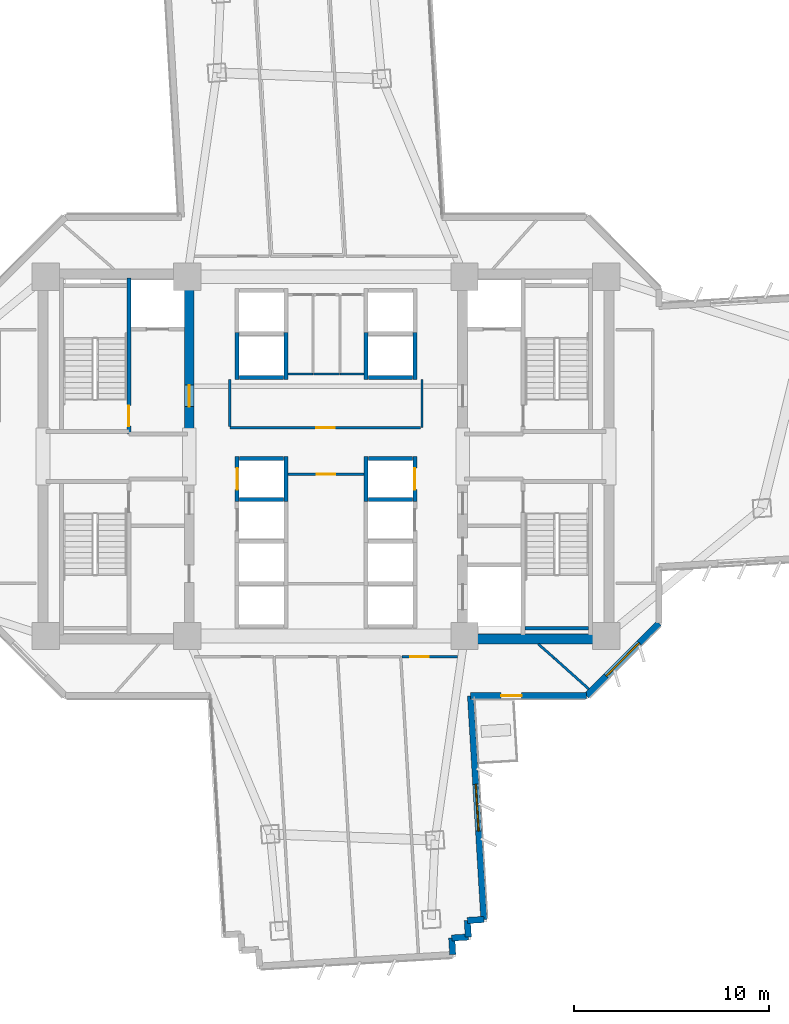
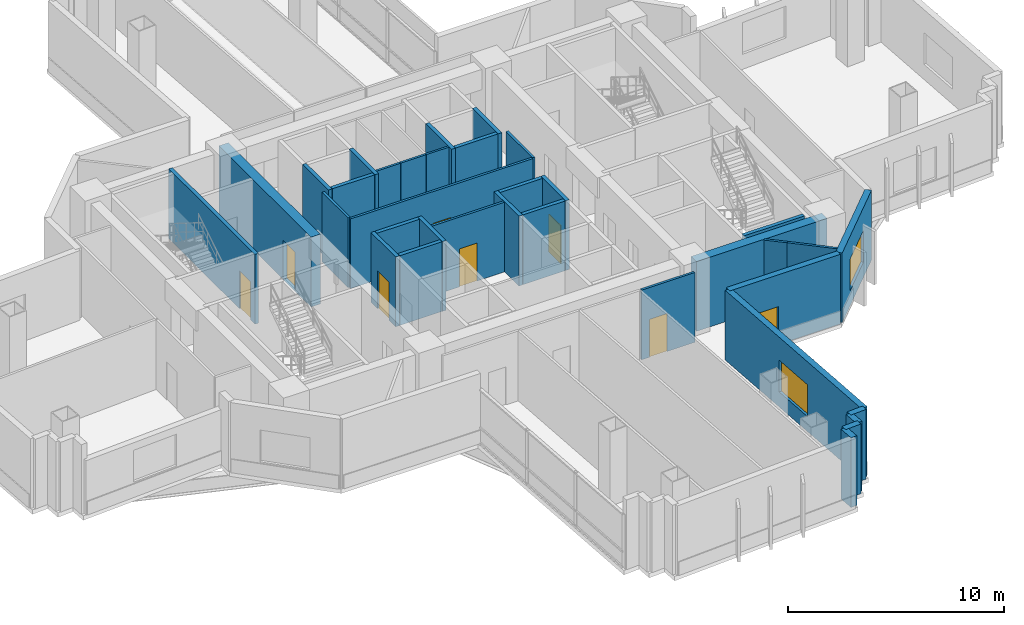
# One storey, part 7 of 15: 35 walls, 8 doors, 2 windows, 10 openings.
"""IFC4 building model written with IfcOpenShell, lengths in metres."""

import ifcopenshell
import ifcopenshell.guid

model = None  # the IFC model being written
_history = None  # IfcOwnerHistory: only IFC2X3 demands one
_inside = {}  # id of a spatial element -> (the spatial element, [elements in it])
_under = {}  # id of a project, library or spatial element -> (it, [spatial elements below it])
_declared = {}  # id of a project -> (the project, [libraries it declares])
_typed = {}  # id of a type object -> (the type object, [elements of that type])
_made_of = {}  # id of a material, layer set ... -> (it, [elements and type objects made of it])


def new_model(schema):
    """Start an empty IFC model of exactly this schema.

    Asked for "IFC4X3", IfcOpenShell would pick the latest addendum, in which some entities
    have other attributes; the version numbers below select the first issue.
    IFC2X3 requires an IfcOwnerHistory on every rooted entity: one is made here for all.
    """
    global model, _history
    if schema == "IFC4X3":
        model = ifcopenshell.file(schema_version=(4, 3, 0, 0))
    else:
        model = ifcopenshell.file(schema=schema)
    _inside.clear()
    _under.clear()
    _declared.clear()
    _typed.clear()
    _made_of.clear()
    _history = None
    if model.schema == "IFC2X3":
        org = make("IfcOrganization", Name="unknown")
        user = make(
            "IfcPersonAndOrganization",
            ThePerson=make("IfcPerson", FamilyName="unknown"),
            TheOrganization=org,
        )
        app = make(
            "IfcApplication",
            ApplicationDeveloper=org,
            Version="unknown",
            ApplicationFullName="unknown",
            ApplicationIdentifier="unknown",
        )
        _history = make(
            "IfcOwnerHistory",
            OwningUser=user,
            OwningApplication=app,
            ChangeAction="ADDED",
            CreationDate=0,
        )
    return model


def make(cls, **values):
    """One entity of the class cls with the attributes given. An attribute that is None is left unset."""
    return model.create_entity(
        cls, **{name: value for name, value in values.items() if value is not None}
    )


def rooted(cls, **values):
    """An entity with a GlobalId (a new one), such as an element, a storey or a relation."""
    return make(cls, GlobalId=ifcopenshell.guid.new(), OwnerHistory=_history, **values)


def si_unit(unit_type, name, prefix=None):
    """IfcSIUnit, for example si_unit("LENGTHUNIT", "METRE", prefix="MILLI")."""
    return make("IfcSIUnit", UnitType=unit_type, Prefix=prefix, Name=name)


def assignment(units):
    """IfcUnitAssignment: the units of a project."""
    return None if units is None else make("IfcUnitAssignment", Units=units)


def point(xyz):
    """IfcCartesianPoint."""
    return None if xyz is None else make("IfcCartesianPoint", Coordinates=xyz)


def direction(xyz):
    """IfcDirection."""
    return None if xyz is None else make("IfcDirection", DirectionRatios=xyz)


def frame(location, z_axis=None, x_axis=None):
    """IfcAxis2Placement3D, a coordinate frame: its origin and axes. An axis left out is left unset."""
    return make(
        "IfcAxis2Placement3D",
        Location=point(location),
        Axis=direction(z_axis),
        RefDirection=direction(x_axis),
    )


def frame_2d(location, x_axis=None):
    """IfcAxis2Placement2D, a coordinate frame in the plane: its origin and x axis."""
    return make(
        "IfcAxis2Placement2D", Location=point(location), RefDirection=direction(x_axis)
    )


def origin():
    """The frame at (0, 0, 0) with its axes left unset."""
    return frame((0.0, 0.0, 0.0))


def place(relative_to, where):
    """IfcLocalPlacement: puts the frame where relative to a parent placement (None: the world)."""
    return make(
        "IfcLocalPlacement", PlacementRelTo=relative_to, RelativePlacement=where
    )


def context(
    kind, dimensions, precision=None, world=None, true_north=None, identifier=None
):
    """IfcGeometricRepresentationContext, for example the 3D "Model" context."""
    return make(
        "IfcGeometricRepresentationContext",
        ContextIdentifier=identifier,
        ContextType=kind,
        CoordinateSpaceDimension=dimensions,
        Precision=precision,
        WorldCoordinateSystem=world,
        TrueNorth=true_north,
    )


def subcontext(parent, identifier, kind, view, scale=None):
    """IfcGeometricRepresentationSubContext, for example "Body" below "Model"."""
    return make(
        "IfcGeometricRepresentationSubContext",
        ContextIdentifier=identifier,
        ContextType=kind,
        ParentContext=parent,
        TargetScale=scale,
        TargetView=view,
    )


def project(units=None, contexts=None):
    """IfcProject with its units and contexts."""
    return rooted(
        "IfcProject",
        Name="project",
        RepresentationContexts=contexts,
        UnitsInContext=assignment(units),
    )


def spatial(cls, under=None, at=None, **own):
    """A site, building, storey or space (cls), placed at a placement, below another one or the project."""
    s = rooted(cls, ObjectPlacement=at, **own)
    if under is not None:
        _under.setdefault(under.id(), (under, []))[1].append(s)
    return s


def profile(cls, at=None, kind="AREA", **sizes):
    """A parametric profile (cls). Its sizes go by their IFC names, for example OverallWidth=200.0."""
    return make(cls, ProfileType=kind, Position=at, **sizes)


def rectangle(**sizes):
    """IfcRectangleProfileDef."""
    return profile("IfcRectangleProfileDef", **sizes)


def extrude(swept, where, along, depth):
    """IfcExtrudedAreaSolid: the profile swept, set in the frame where, extruded along a direction by depth."""
    return make(
        "IfcExtrudedAreaSolid",
        SweptArea=swept,
        Position=where,
        ExtrudedDirection=direction(along),
        Depth=depth,
    )


def shape(context_of_items, identifier, shape_type, items):
    """IfcShapeRepresentation: the items that make up one representation, for example the "Body"."""
    return make(
        "IfcShapeRepresentation",
        ContextOfItems=context_of_items,
        RepresentationIdentifier=identifier,
        RepresentationType=shape_type,
        Items=items,
    )


def source(mapping_origin, context_of_items, identifier, shape_type, items):
    """IfcRepresentationMap: a shape defined once, which mapped items show again and again."""
    return make(
        "IfcRepresentationMap",
        MappingOrigin=mapping_origin,
        MappedRepresentation=shape(context_of_items, identifier, shape_type, items),
    )


def transform(
    local_origin,
    x_axis=None,
    y_axis=None,
    z_axis=None,
    scale=None,
    scale2=None,
    scale3=None,
    uniform=True,
):
    """IfcCartesianTransformationOperator3D, or its non-uniform kind. x_axis, y_axis, z_axis: its Axis1, 2, 3."""
    if uniform:
        return make(
            "IfcCartesianTransformationOperator3D",
            Axis1=direction(x_axis),
            Axis2=direction(y_axis),
            LocalOrigin=point(local_origin),
            Scale=scale,
            Axis3=direction(z_axis),
        )
    return make(
        "IfcCartesianTransformationOperator3DnonUniform",
        Axis1=direction(x_axis),
        Axis2=direction(y_axis),
        LocalOrigin=point(local_origin),
        Scale=scale,
        Axis3=direction(z_axis),
        Scale2=scale2,
        Scale3=scale3,
    )


def mapped(mapping_source, mapping_target):
    """IfcMappedItem: shows the shape of a source again, moved by a transform."""
    return make(
        "IfcMappedItem", MappingSource=mapping_source, MappingTarget=mapping_target
    )


def material(Name=None, Category=None):
    """IfcMaterial."""
    return make("IfcMaterial", Name=Name, Category=Category)


def layer(
    of_material, thickness, ventilated=None, Name=None, Category=None, Priority=None
):
    """IfcMaterialLayer: one layer of a wall or slab, of a material (None: an air gap)."""
    return make(
        "IfcMaterialLayer",
        Material=of_material,
        LayerThickness=thickness,
        IsVentilated=ventilated,
        Name=Name,
        Category=Category,
        Priority=Priority,
    )


def layer_set(layers, Name=None):
    """IfcMaterialLayerSet."""
    return make("IfcMaterialLayerSet", MaterialLayers=layers, LayerSetName=Name)


def made_of(thing, what):
    """Note that an element or type object is made of a material, layer set ...; save() writes the relation."""
    if what is not None:
        _made_of.setdefault(what.id(), (what, []))[1].append(thing)
    return thing


def type_object(cls, material=None, **own):
    """A type object (cls), such as IfcWallType, which elements share."""
    return made_of(rooted(cls, **own), material)


def element(
    cls,
    number,
    at=None,
    inside=None,
    cuts=None,
    type_object=None,
    material=None,
    context=None,
    identifier="Body",
    shape_type=None,
    held_by="IfcProductDefinitionShape",
    body=None,
    shapes=None,
    **own,
):
    """One element of the class cls, such as IfcWall. Its Tag is "e" and its number.

    at: its placement. inside: the storey or other place that contains it. cuts: it is an
    opening in that element (IfcRelVoidsElement). A single representation is given by context,
    identifier, shape_type and body (its items); several are given by shapes. held_by: the class
    of the entity that holds the representations. save() writes the other relations.
    """
    e = rooted(cls, Tag="e%d" % number, ObjectPlacement=at, **own)
    if body is not None:
        shapes = [shape(context, identifier, shape_type, body)]
    if shapes is not None:
        e.Representation = make(held_by, Representations=shapes)
    if inside is not None:
        _inside.setdefault(inside.id(), (inside, []))[1].append(e)
    if cuts is not None:
        rooted(
            "IfcRelVoidsElement", RelatingBuildingElement=cuts, RelatedOpeningElement=e
        )
    if type_object is not None:
        _typed.setdefault(type_object.id(), (type_object, []))[1].append(e)
    return made_of(e, material)


def fill(opening, filler):
    """IfcRelFillsElement: the door or window that sits in an opening."""
    return rooted(
        "IfcRelFillsElement",
        RelatingOpeningElement=opening,
        RelatedBuildingElement=filler,
    )


def aggregate(whole, parts):
    """IfcRelAggregates: a whole, such as a stair, and the parts it consists of."""
    return rooted("IfcRelAggregates", RelatingObject=whole, RelatedObjects=parts)


def save(model, path):
    """Write the relations noted so far, then the file.

    IfcRelAggregates (storeys below a building ...), IfcRelContainedInSpatialStructure (elements
    in a storey), IfcRelDefinesByType, IfcRelAssociatesMaterial and IfcRelDeclares: one each for
    every whole, place, type object, material and project.
    """
    for whole, parts in _under.values():
        aggregate(whole, parts)
    for where, things in _inside.values():
        rooted(
            "IfcRelContainedInSpatialStructure",
            RelatedElements=things,
            RelatingStructure=where,
        )
    for kind, things in _typed.values():
        rooted("IfcRelDefinesByType", RelatedObjects=things, RelatingType=kind)
    for what, things in _made_of.values():
        rooted("IfcRelAssociatesMaterial", RelatedObjects=things, RelatingMaterial=what)
    for by, libraries in _declared.values():
        rooted("IfcRelDeclares", RelatingContext=by, RelatedDefinitions=libraries)
    model.write(path)


model = new_model("IFC4")

# Units and contexts
model_context = context("Model", 3, precision=1e-05, world=origin(), true_north=direction((0.0, 1.0)))
body_context = subcontext(model_context, "Body", "Model", "MODEL_VIEW")
ifc_project = project(units=[si_unit("LENGTHUNIT", "METRE"), si_unit("AREAUNIT", "SQUARE_METRE"), si_unit("VOLUMEUNIT", "CUBIC_METRE"), si_unit("PLANEANGLEUNIT", "RADIAN"), si_unit("MASSUNIT", "GRAM", prefix="KILO")], contexts=[model_context])

# Site, building, storey
site_placement = place(None, origin())
site = spatial("IfcSite", under=ifc_project, at=site_placement, CompositionType="ELEMENT")
building_placement = place(site_placement, origin())
building = spatial("IfcBuilding", under=site, at=building_placement, Name="Zahravan Cultural Tower", CompositionType="ELEMENT")
storey_placement = place(building_placement, frame((0.0, 0.0, 71.10009765625)))
storey = spatial("IfcBuildingStorey", under=building, at=storey_placement, Name="L15", CompositionType="ELEMENT", Elevation=71.10009765625)

# Wall, opening, door
ifc_material_1 = material(Name="Concrete C60/75", Category="concrete")
ifc_layer_1 = layer(ifc_material_1, 0.5)
ifc_layer_set_1 = layer_set([ifc_layer_1], Name="Concrete C60/75")
wall_type_1 = type_object("IfcWallType", Name="CW-SHEAR-500-C60", PredefinedType="SHEAR", material=ifc_layer_set_1)
wall_1_placement = place(storey_placement, frame((29.0, 28.050048828125, 0.0), z_axis=(0.0, 0.0, 1.0), x_axis=(0.0, 1.0, 0.0)))
wall_1 = element("IfcWall", 1, at=wall_1_placement, inside=storey, type_object=wall_type_1, Name="L15 Core Shear Wall CW-W-EN-L15", PredefinedType="SHEAR", context=body_context, shape_type="SweptSolid", body=[
    extrude(rectangle(XDim=8.550048828125, YDim=0.5, at=frame_2d((4.27490234375, 0.0))), origin(), (0.0, 0.0, 1.0), 3.949951171875),
])
opening_1_placement = place(wall_1_placement, frame((1.5, 0.0, 0.0)))
opening_1 = element("IfcOpeningElement", 2, at=opening_1_placement, cuts=wall_1, Name="Opening D-L15-05", PredefinedType="OPENING", context=body_context, shape_type="SweptSolid", body=[
    extrude(rectangle(XDim=1.10009765625, YDim=2.199951171875, at=frame_2d((0.550048828125, 1.10009765625))), frame((0.0, 0.260009765625, 0.0), z_axis=(0.0, -1.0, 0.0), x_axis=(1.0, 0.0, 0.0)), (0.0, 0.0, 1.0), 0.52001953125),
])
ifc_material_2 = material(Name="Steel ASTM A572 Grade 50", Category="steel")
door_type_1 = type_object("IfcDoorType", Name="DR-LOBBY-1100", OperationType="NOTDEFINED", PredefinedType="DOOR", material=ifc_material_2)
shared_shape_1 = source(origin(), body_context, "Body", "SweptSolid", [
    extrude(rectangle(XDim=1.10009765625, YDim=2.199951171875, at=frame_2d((0.550048828125, 1.10009765625))), frame((0.0, 0.02490234375, 0.0), z_axis=(0.0, -1.0, 0.0), x_axis=(1.0, 0.0, 0.0)), (0.0, 0.0, 1.0), 0.050048828125),
])
door_1_placement = place(opening_1_placement, origin())
door_1 = element("IfcDoor", 3, at=door_1_placement, inside=storey, type_object=door_type_1, Name="L15 Door D-L15-05", OperationType="SINGLE_SWING_LEFT", OverallHeight=2.199951171875, OverallWidth=1.10009765625, PredefinedType="DOOR", context=body_context, shape_type="MappedRepresentation", body=[
    mapped(shared_shape_1, transform((0.0, 0.0, 0.0), x_axis=(1.0, 0.0, 0.0), y_axis=(0.0, 1.0, 0.0), z_axis=(0.0, 0.0, 1.0), scale=1.0)),
])
fill(opening_1, door_1)

# Wall, opening, window
ifc_material_3 = material(Name="Precast concrete C40/50", Category="concrete")
ifc_layer_2 = layer(ifc_material_3, 0.320068359375)
ifc_layer_set_2 = layer_set([ifc_layer_2], Name="Precast concrete C40/50")
wall_type_2 = type_object("IfcWallType", Name="EW-TC-320", PredefinedType="SOLIDWALL", material=ifc_layer_set_2)
wall_2_placement = place(storey_placement, frame((53.06005859375, 18.4580078125, 0.0), z_axis=(0.0, 0.0, 1.0), x_axis=(-0.707106781187, -0.707106781187, 0.0)))
wall_2 = element("IfcWall", 4, at=wall_2_placement, inside=storey, type_object=wall_type_2, Name="L15 Exterior Masonry Frame Wall 13", PredefinedType="SOLIDWALL", context=body_context, shape_type="SweptSolid", body=[
    extrude(rectangle(XDim=5.258056640625, YDim=0.320068359375, at=frame_2d((2.62890625, 0.0))), origin(), (0.0, 0.0, 1.0), 3.949951171875),
])
opening_2_placement = place(wall_2_placement, frame((1.428955078125, 0.0, 0.85009765625)))
opening_2 = element("IfcOpeningElement", 5, at=opening_2_placement, cuts=wall_2, Name="Opening WN-01", PredefinedType="OPENING", context=body_context, shape_type="SweptSolid", body=[
    extrude(rectangle(XDim=2.39990234375, YDim=1.800048828125, at=frame_2d((1.199951171875, 0.89990234375))), frame((0.0, 0.169921875, 0.0), z_axis=(0.0, -1.0, 0.0), x_axis=(1.0, 0.0, 0.0)), (0.0, 0.0, 1.0), 0.340087890625),
])
ifc_material_4 = material(Name="Low-E solar-control double glazing", Category="glass")
window_type = type_object("IfcWindowType", Name="WN-REC-2400X1800", PartitioningType="DOUBLE_PANEL_VERTICAL", PredefinedType="WINDOW", material=ifc_material_4)
shared_shape_2 = source(origin(), body_context, "Body", "SweptSolid", [
    extrude(rectangle(XDim=2.39990234375, YDim=1.800048828125, at=frame_2d((1.199951171875, 0.89990234375))), frame((0.0, 0.030029296875, 0.0), z_axis=(0.0, -1.0, 0.0), x_axis=(1.0, 0.0, 0.0)), (0.0, 0.0, 1.0), 0.06005859375),
])
window_1_placement = place(opening_2_placement, origin())
window_1 = element("IfcWindow", 6, at=window_1_placement, inside=storey, type_object=window_type, Name="L15 Recessed Solar Window 04", OverallHeight=1.800048828125, OverallWidth=2.39990234375, PartitioningType="DOUBLE_PANEL_VERTICAL", PredefinedType="WINDOW", context=body_context, shape_type="MappedRepresentation", body=[
    mapped(shared_shape_2, transform((0.0, 0.0, 0.0), x_axis=(1.0, 0.0, 0.0), y_axis=(0.0, 1.0, 0.0), z_axis=(0.0, 0.0, 1.0), scale=1.0)),
])
fill(opening_2, window_1)

# Wall, opening, door
wall_3_placement = place(storey_placement, frame((49.342041015625, 14.739990234375, 0.0), z_axis=(0.0, 0.0, 1.0), x_axis=(-1.0, 0.0, 0.0)))
wall_3 = element("IfcWall", 7, at=wall_3_placement, inside=storey, type_object=wall_type_2, Name="L15 Exterior Masonry Frame Wall 14", PredefinedType="SOLIDWALL", context=body_context, shape_type="SweptSolid", body=[
    extrude(rectangle(XDim=5.9375, YDim=0.320068359375, at=frame_2d((2.96875, 0.0))), origin(), (0.0, 0.0, 1.0), 3.949951171875),
])
opening_3_placement = place(wall_3_placement, frame((3.323974609375, 0.0, 0.0)))
opening_3 = element("IfcOpeningElement", 8, at=opening_3_placement, cuts=wall_3, Name="Opening D-L15-TR-SE", PredefinedType="OPENING", context=body_context, shape_type="SweptSolid", body=[
    extrude(rectangle(XDim=1.050048828125, YDim=2.14990234375, at=frame_2d((0.52490234375, 1.074951171875))), frame((0.0, 0.169921875, 0.0), z_axis=(0.0, -1.0, 0.0), x_axis=(1.0, 0.0, 0.0)), (0.0, 0.0, 1.0), 0.340087890625),
])
ifc_material_5 = material(Name="Anodised bronze-aluminium mullion", Category="aluminium")
door_type_2 = type_object("IfcDoorType", Name="DR-TERR-1050", OperationType="NOTDEFINED", PredefinedType="DOOR", material=ifc_material_5)
shared_shape_3 = source(origin(), body_context, "Body", "SweptSolid", [
    extrude(rectangle(XDim=1.050048828125, YDim=2.14990234375, at=frame_2d((0.52490234375, 1.074951171875))), frame((0.0, 0.02490234375, 0.0), z_axis=(0.0, -1.0, 0.0), x_axis=(1.0, 0.0, 0.0)), (0.0, 0.0, 1.0), 0.050048828125),
])
door_2_placement = place(opening_3_placement, origin())
door_2 = element("IfcDoor", 9, at=door_2_placement, inside=storey, type_object=door_type_2, Name="L15 Terrace Access Door SE", OperationType="SINGLE_SWING_RIGHT", OverallHeight=2.14990234375, OverallWidth=1.050048828125, PredefinedType="DOOR", context=body_context, shape_type="MappedRepresentation", body=[
    mapped(shared_shape_3, transform((0.0, 0.0, 0.0), x_axis=(1.0, 0.0, 0.0), y_axis=(0.0, 1.0, 0.0), z_axis=(0.0, 0.0, 1.0), scale=1.0)),
])
fill(opening_3, door_2)

# Wall, opening, window
wall_4_placement = place(storey_placement, frame((43.404541015625, 14.739990234375, 0.0), z_axis=(0.0, 0.0, 1.0), x_axis=(0.059651994121, -0.998219234235, 0.0)))
wall_4 = element("IfcWall", 10, at=wall_4_placement, inside=storey, type_object=wall_type_2, Name="L15 Exterior Masonry Frame Wall 15", PredefinedType="SOLIDWALL", context=body_context, shape_type="SweptSolid", body=[
    extrude(rectangle(XDim=11.480224609375, YDim=0.320068359375, at=frame_2d((5.740234375, 0.0))), origin(), (0.0, 0.0, 1.0), 3.949951171875),
])
opening_4_placement = place(wall_4_placement, frame((4.5400390625, 0.0, 0.85009765625)))
opening_4 = element("IfcOpeningElement", 11, at=opening_4_placement, cuts=wall_4, Name="Opening WN-01", PredefinedType="OPENING", context=body_context, shape_type="SweptSolid", body=[
    extrude(rectangle(XDim=2.39990234375, YDim=1.800048828125, at=frame_2d((1.199951171875, 0.89990234375))), frame((0.0, 0.169921875, 0.0), z_axis=(0.0, -1.0, 0.0), x_axis=(1.0, 0.0, 0.0)), (0.0, 0.0, 1.0), 0.340087890625),
])
window_2_placement = place(opening_4_placement, origin())
window_2 = element("IfcWindow", 12, at=window_2_placement, inside=storey, type_object=window_type, Name="L15 Recessed Solar Window 05", OverallHeight=1.800048828125, OverallWidth=2.39990234375, PartitioningType="DOUBLE_PANEL_VERTICAL", PredefinedType="WINDOW", context=body_context, shape_type="MappedRepresentation", body=[
    mapped(shared_shape_2, transform((0.0, 0.0, 0.0), x_axis=(1.0, 0.0, 0.0), y_axis=(0.0, 1.0, 0.0), z_axis=(0.0, 0.0, 1.0), scale=1.0)),
])
fill(opening_4, window_2)

# Wall, opening, door
ifc_material_6 = material(Name="Gypsum plasterboard partition")
ifc_layer_3 = layer(ifc_material_6, 0.125)
ifc_layer_set_3 = layer_set([ifc_layer_3], Name="Gypsum plasterboard partition")
wall_type_3 = type_object("IfcWallType", Name="W-PART-125", PredefinedType="PARTITIONING", material=ifc_layer_set_3)
wall_5_placement = place(storey_placement, frame((34.054931640625, 26.080078125, 0.0), z_axis=(0.0, 0.0, 1.0), x_axis=(1.0, 0.0, 0.0)))
wall_5 = element("IfcWall", 13, at=wall_5_placement, inside=storey, type_object=wall_type_3, Name="L15 Interior Wall 074", PredefinedType="PARTITIONING", context=body_context, shape_type="SweptSolid", body=[
    extrude(rectangle(XDim=3.89013671875, YDim=0.125, at=frame_2d((1.945068359375, 0.0))), origin(), (0.0, 0.0, 1.0), 3.949951171875),
])
opening_5_placement = place(wall_5_placement, frame((1.469970703125, 0.0, 0.0)))
opening_5 = element("IfcOpeningElement", 14, at=opening_5_placement, cuts=wall_5, Name="Opening D-L15-14", PredefinedType="OPENING", context=body_context, shape_type="SweptSolid", body=[
    extrude(rectangle(XDim=0.949951171875, YDim=2.14990234375, at=frame_2d((0.47509765625, 1.074951171875))), frame((0.0, 0.072509765625, 0.0), z_axis=(0.0, -1.0, 0.0), x_axis=(1.0, 0.0, 0.0)), (0.0, 0.0, 1.0), 0.14501953125),
])
door_type_3 = type_object("IfcDoorType", Name="DR-ROOM-950", OperationType="NOTDEFINED", PredefinedType="DOOR", material=ifc_material_5)
shared_shape_4 = source(origin(), body_context, "Body", "SweptSolid", [
    extrude(rectangle(XDim=0.949951171875, YDim=2.14990234375, at=frame_2d((0.47509765625, 1.074951171875))), frame((0.0, 0.02490234375, 0.0), z_axis=(0.0, -1.0, 0.0), x_axis=(1.0, 0.0, 0.0)), (0.0, 0.0, 1.0), 0.050048828125),
])
door_3_placement = place(opening_5_placement, origin())
door_3 = element("IfcDoor", 15, at=door_3_placement, inside=storey, type_object=door_type_3, Name="L15 Door D-L15-14", OperationType="SINGLE_SWING_RIGHT", OverallHeight=2.14990234375, OverallWidth=0.949951171875, PredefinedType="DOOR", context=body_context, shape_type="MappedRepresentation", body=[
    mapped(shared_shape_4, transform((0.0, 0.0, 0.0), x_axis=(1.0, 0.0, 0.0), y_axis=(0.0, 1.0, 0.0), z_axis=(0.0, 0.0, 1.0), scale=1.0)),
])
fill(opening_5, door_3)

wall_6_placement = place(storey_placement, frame((40.8525390625, 28.47998046875, 0.0), z_axis=(0.0, 0.0, 1.0), x_axis=(-1.0, 0.0, 0.0)))
wall_6 = element("IfcWall", 16, at=wall_6_placement, inside=storey, type_object=wall_type_3, Name="L15 Interior Wall 077", PredefinedType="PARTITIONING", context=body_context, shape_type="SweptSolid", body=[
    extrude(rectangle(XDim=9.7724609375, YDim=0.125, at=frame_2d((4.88623046875, 0.0))), origin(), (0.0, 0.0, 1.0), 3.949951171875),
])
opening_6_placement = place(wall_6_placement, frame((4.411376953125, 0.0, 0.0)))
opening_6 = element("IfcOpeningElement", 17, at=opening_6_placement, cuts=wall_6, Name="Opening D-L15-15", PredefinedType="OPENING", context=body_context, shape_type="SweptSolid", body=[
    extrude(rectangle(XDim=0.949951171875, YDim=2.14990234375, at=frame_2d((0.47509765625, 1.074951171875))), frame((0.0, 0.072509765625, 0.0), z_axis=(0.0, -1.0, 0.0), x_axis=(1.0, 0.0, 0.0)), (0.0, 0.0, 1.0), 0.14501953125),
])
door_4_placement = place(opening_6_placement, origin())
door_4 = element("IfcDoor", 18, at=door_4_placement, inside=storey, type_object=door_type_3, Name="L15 Door D-L15-15", OperationType="SINGLE_SWING_LEFT", OverallHeight=2.14990234375, OverallWidth=0.949951171875, PredefinedType="DOOR", context=body_context, shape_type="MappedRepresentation", body=[
    mapped(shared_shape_4, transform((0.0, 0.0, 0.0), x_axis=(1.0, 0.0, 0.0), y_axis=(0.0, 1.0, 0.0), z_axis=(0.0, 0.0, 1.0), scale=1.0)),
])
fill(opening_6, door_4)

wall_7_placement = place(storey_placement, frame((39.896484375, 16.739990234375, 0.0), z_axis=(0.0, 0.0, 1.0), x_axis=(0.999999908279, 0.000428302171, 0.0)))
wall_7 = element("IfcWall", 19, at=wall_7_placement, inside=storey, type_object=wall_type_3, Name="L15 Interior Wall 089", PredefinedType="PARTITIONING", context=body_context, shape_type="SweptSolid", body=[
    extrude(rectangle(XDim=2.85009765625, YDim=0.125, at=frame_2d((1.425048828125, 0.0))), origin(), (0.0, 0.0, 1.0), 3.949951171875),
])
opening_7_placement = place(wall_7_placement, frame((0.41796875, 0.0, 0.0)))
opening_7 = element("IfcOpeningElement", 20, at=opening_7_placement, cuts=wall_7, Name="Opening D-L15-25", PredefinedType="OPENING", context=body_context, shape_type="SweptSolid", body=[
    extrude(rectangle(XDim=0.949951171875, YDim=2.14990234375, at=frame_2d((0.47509765625, 1.074951171875))), frame((0.0, 0.072509765625, 0.0), z_axis=(0.0, -1.0, 0.0), x_axis=(1.0, 0.0, 0.0)), (0.0, 0.0, 1.0), 0.14501953125),
])
door_5_placement = place(opening_7_placement, origin())
door_5 = element("IfcDoor", 21, at=door_5_placement, inside=storey, type_object=door_type_3, Name="L15 Door D-L15-25", OperationType="SINGLE_SWING_LEFT", OverallHeight=2.14990234375, OverallWidth=0.949951171875, PredefinedType="DOOR", context=body_context, shape_type="MappedRepresentation", body=[
    mapped(shared_shape_4, transform((0.0, 0.0, 0.0), x_axis=(1.0, 0.0, 0.0), y_axis=(0.0, 1.0, 0.0), z_axis=(0.0, 0.0, 1.0), scale=1.0)),
])
fill(opening_7, door_5)

ifc_material_7 = material(Name="Concrete C45/55", Category="concrete")
ifc_layer_4 = layer(ifc_material_7, 0.199951171875)
ifc_layer_set_4 = layer_set([ifc_layer_4], Name="Concrete C45/55")
wall_type_4 = type_object("IfcWallType", Name="W-SHAFT-200", PredefinedType="SOLIDWALL", material=ifc_layer_set_4)
wall_8_placement = place(storey_placement, frame((25.89990234375, 28.14990234375, 0.0), z_axis=(0.0, 0.0, 1.0), x_axis=(0.0, 1.0, 0.0)))
wall_8 = element("IfcWall", 22, at=wall_8_placement, inside=storey, type_object=wall_type_4, Name="L15 Interior Wall 006", PredefinedType="SOLIDWALL", context=body_context, shape_type="SweptSolid", body=[
    extrude(rectangle(XDim=8.0, YDim=0.199951171875, at=frame_2d((4.0, 0.0))), origin(), (0.0, 0.0, 1.0), 3.949951171875),
])
opening_8_placement = place(wall_8_placement, frame((0.39990234375, 0.0, 0.0)))
opening_8 = element("IfcOpeningElement", 23, at=opening_8_placement, cuts=wall_8, Name="Opening D-L15-01", PredefinedType="OPENING", context=body_context, shape_type="SweptSolid", body=[
    extrude(rectangle(XDim=1.050048828125, YDim=2.14990234375, at=frame_2d((0.52490234375, 1.074951171875))), frame((0.0, 0.10986328125, 0.0), z_axis=(0.0, -1.0, 0.0), x_axis=(1.0, 0.0, 0.0)), (0.0, 0.0, 1.0), 0.219970703125),
])
door_type_4 = type_object("IfcDoorType", Name="DR-STAIR-1050", OperationType="NOTDEFINED", PredefinedType="DOOR", material=ifc_material_2)
door_6_placement = place(opening_8_placement, origin())
door_6 = element("IfcDoor", 24, at=door_6_placement, inside=storey, type_object=door_type_4, Name="L15 Door D-L15-01", OperationType="SINGLE_SWING_LEFT", OverallHeight=2.14990234375, OverallWidth=1.050048828125, PredefinedType="DOOR", context=body_context, shape_type="MappedRepresentation", body=[
    mapped(shared_shape_3, transform((0.0, 0.0, 0.0), x_axis=(1.0, 0.0, 0.0), y_axis=(0.0, 1.0, 0.0), z_axis=(0.0, 0.0, 1.0), scale=1.0)),
])
fill(opening_8, door_6)

wall_9_placement = place(storey_placement, frame((31.449951171875, 24.699951171875, 0.0), z_axis=(0.0, 0.0, 1.0), x_axis=(0.0, 1.0, 0.0)))
wall_9 = element("IfcWall", 25, at=wall_9_placement, inside=storey, type_object=wall_type_4, Name="L15 Interior Wall 054", PredefinedType="SOLIDWALL", context=body_context, shape_type="SweptSolid", body=[
    extrude(rectangle(XDim=2.300048828125, YDim=0.199951171875, at=frame_2d((1.14990234375, 0.0))), origin(), (0.0, 0.0, 1.0), 3.949951171875),
])
opening_9_placement = place(wall_9_placement, frame((0.60009765625, 0.0, 0.0)))
opening_9 = element("IfcOpeningElement", 26, at=opening_9_placement, cuts=wall_9, Name="Opening LD-L15-04", PredefinedType="OPENING", context=body_context, shape_type="SweptSolid", body=[
    extrude(rectangle(XDim=1.10009765625, YDim=2.14990234375, at=frame_2d((0.550048828125, 1.074951171875))), frame((0.0, 0.10986328125, 0.0), z_axis=(0.0, -1.0, 0.0), x_axis=(1.0, 0.0, 0.0)), (0.0, 0.0, 1.0), 0.219970703125),
])
door_type_5 = type_object("IfcDoorType", Name="DR-LIFT-1100", OperationType="DOUBLE_DOOR_SLIDING", PredefinedType="DOOR", material=ifc_material_2)
shared_shape_5 = source(origin(), body_context, "Body", "SweptSolid", [
    extrude(rectangle(XDim=1.10009765625, YDim=2.14990234375, at=frame_2d((0.550048828125, 1.074951171875))), frame((0.0, 0.02490234375, 0.0), z_axis=(0.0, -1.0, 0.0), x_axis=(1.0, 0.0, 0.0)), (0.0, 0.0, 1.0), 0.050048828125),
])
door_7_placement = place(opening_9_placement, origin())
door_7 = element("IfcDoor", 27, at=door_7_placement, inside=storey, type_object=door_type_5, Name="L15 Door LD-L15-04", OperationType="DOUBLE_DOOR_SLIDING", OverallHeight=2.14990234375, OverallWidth=1.10009765625, PredefinedType="DOOR", context=body_context, shape_type="MappedRepresentation", body=[
    mapped(shared_shape_5, transform((0.0, 0.0, 0.0), x_axis=(1.0, 0.0, 0.0), y_axis=(0.0, 1.0, 0.0), z_axis=(0.0, 0.0, 1.0), scale=1.0)),
])
fill(opening_9, door_7)

wall_10_placement = place(storey_placement, frame((40.550048828125, 24.699951171875, 0.0), z_axis=(0.0, 0.0, 1.0), x_axis=(0.0, 1.0, 0.0)))
wall_10 = element("IfcWall", 28, at=wall_10_placement, inside=storey, type_object=wall_type_4, Name="L15 Interior Wall 061", PredefinedType="SOLIDWALL", context=body_context, shape_type="SweptSolid", body=[
    extrude(rectangle(XDim=2.300048828125, YDim=0.199951171875, at=frame_2d((1.14990234375, 0.0))), origin(), (0.0, 0.0, 1.0), 3.949951171875),
])
opening_10_placement = place(wall_10_placement, frame((0.60009765625, 0.0, 0.0)))
opening_10 = element("IfcOpeningElement", 29, at=opening_10_placement, cuts=wall_10, Name="Opening LD-L15-06", PredefinedType="OPENING", context=body_context, shape_type="SweptSolid", body=[
    extrude(rectangle(XDim=1.10009765625, YDim=2.14990234375, at=frame_2d((0.550048828125, 1.074951171875))), frame((0.0, 0.10986328125, 0.0), z_axis=(0.0, -1.0, 0.0), x_axis=(1.0, 0.0, 0.0)), (0.0, 0.0, 1.0), 0.219970703125),
])
door_8_placement = place(opening_10_placement, origin())
door_8 = element("IfcDoor", 30, at=door_8_placement, inside=storey, type_object=door_type_5, Name="L15 Door LD-L15-06", OperationType="DOUBLE_DOOR_SLIDING", OverallHeight=2.14990234375, OverallWidth=1.10009765625, PredefinedType="DOOR", context=body_context, shape_type="MappedRepresentation", body=[
    mapped(shared_shape_5, transform((0.0, 0.0, 0.0), x_axis=(1.0, 0.0, 0.0), y_axis=(0.0, 1.0, 0.0), z_axis=(0.0, 0.0, 1.0), scale=1.0)),
])
fill(opening_10, door_8)

# Walls
shared_shape_6 = source(origin(), body_context, "Body", "SweptSolid", [
    extrude(rectangle(XDim=7.0, YDim=0.5, at=frame_2d((3.5, 0.0))), origin(), (0.0, 0.0, 1.0), 3.949951171875),
])
wall_11_placement = place(storey_placement, frame((43.25, 17.64990234375, 0.0), z_axis=(0.0, 0.0, 1.0), x_axis=(1.0, 0.0, 0.0)))
element("IfcWall", 31, at=wall_11_placement, inside=storey, type_object=wall_type_1, Name="L15 Core Shear Wall CW-E-S-L15", PredefinedType="SHEAR", context=body_context, shape_type="MappedRepresentation", body=[
    mapped(shared_shape_6, transform((0.0, 0.0, 0.0), x_axis=(1.0, 0.0, 0.0), y_axis=(0.0, 1.0, 0.0), z_axis=(0.0, 0.0, 1.0), scale=1.0)),
])
shared_shape_7 = source(origin(), body_context, "Body", "SweptSolid", [
    extrude(rectangle(XDim=0.849853515625, YDim=0.320068359375, at=frame_2d((0.4248046875, 0.0))), origin(), (0.0, 0.0, 1.0), 3.949951171875),
])
for number, where, z_axis, x_axis, name in (
    (32, (44.08935546875, 3.2802734375, 0.0), (0.0, 0.0, 1.0), (-0.998213421964, -0.059749177487, 0.0), "L15 Exterior Masonry Frame Wall 16"),
    (33, (43.240966796875, 3.2294921875, 0.0), (0.0, 0.0, 1.0), (0.059462939961, -0.998230513845, 0.0), "L15 Exterior Masonry Frame Wall 17"),
    (34, (43.29150390625, 2.381103515625, 0.0), (0.0, 0.0, 1.0), (-0.998213421964, -0.059749177487, 0.0), "L15 Exterior Masonry Frame Wall 18"),
    (35, (42.443115234375, 2.330322265625, 0.0), (0.0, 0.0, 1.0), (0.059749177487, -0.998213421964, 0.0), "L15 Exterior Masonry Frame Wall 19"),
):
    element("IfcWall", number, at=place(storey_placement, frame(where, z_axis=z_axis, x_axis=x_axis)), inside=storey, type_object=wall_type_2, Name=name, PredefinedType="SOLIDWALL", context=body_context, shape_type="MappedRepresentation", body=[
        mapped(shared_shape_7, transform((0.0, 0.0, 0.0), x_axis=(1.0, 0.0, 0.0), y_axis=(0.0, 1.0, 0.0), z_axis=(0.0, 0.0, 1.0), scale=1.0)),
    ])
shared_shape_8 = source(origin(), body_context, "Body", "SweptSolid", [
    extrude(rectangle(XDim=3.25, YDim=0.199951171875, at=frame_2d((1.625, 0.0))), origin(), (0.0, 0.0, 1.0), 3.949951171875),
])
wall_12_placement = place(storey_placement, frame((46.199951171875, 18.199951171875, 0.0), z_axis=(0.0, 0.0, 1.0), x_axis=(1.0, 0.0, 0.0)))
element("IfcWall", 36, at=wall_12_placement, inside=storey, type_object=wall_type_4, Name="L15 Interior Wall 020", PredefinedType="SOLIDWALL", context=body_context, shape_type="MappedRepresentation", body=[
    mapped(shared_shape_8, transform((0.0, 0.0, 0.0), x_axis=(1.0, 0.0, 0.0), y_axis=(0.0, 1.0, 0.0), z_axis=(0.0, 0.0, 1.0), scale=1.0)),
])
shared_shape_9 = source(origin(), body_context, "Body", "SweptSolid", [
    extrude(rectangle(XDim=2.400146484375, YDim=0.199951171875, at=frame_2d((1.2001953125, 0.0))), origin(), (0.0, 0.0, 1.0), 3.949951171875),
])
for number, where, z_axis, x_axis, name in (
    (37, (31.449951171875, 30.949951171875, 0.0), (0.0, 0.0, 1.0), (0.0, 1.0, 0.0), "L15 Interior Wall 030"),
    (38, (33.949951171875, 30.949951171875, 0.0), (0.0, 0.0, 1.0), (0.0, 1.0, 0.0), "L15 Interior Wall 031"),
    (39, (38.050048828125, 30.949951171875, 0.0), (0.0, 0.0, 1.0), (0.0, 1.0, 0.0), "L15 Interior Wall 037"),
    (40, (40.550048828125, 30.949951171875, 0.0), (0.0, 0.0, 1.0), (0.0, 1.0, 0.0), "L15 Interior Wall 038"),
):
    element("IfcWall", number, at=place(storey_placement, frame(where, z_axis=z_axis, x_axis=x_axis)), inside=storey, type_object=wall_type_4, Name=name, PredefinedType="SOLIDWALL", context=body_context, shape_type="MappedRepresentation", body=[
        mapped(shared_shape_9, transform((0.0, 0.0, 0.0), x_axis=(1.0, 0.0, 0.0), y_axis=(0.0, 1.0, 0.0), z_axis=(0.0, 0.0, 1.0), scale=1.0)),
    ])
shared_shape_10 = source(origin(), body_context, "Body", "SweptSolid", [
    extrude(rectangle(XDim=2.260009765625, YDim=0.199951171875, at=frame_2d((1.1298828125, 0.0))), origin(), (0.0, 0.0, 1.0), 3.949951171875),
])
for number, where, z_axis, x_axis, name in (
    (41, (31.570068359375, 31.050048828125, 0.0), (0.0, 0.0, 1.0), (1.0, 0.0, 0.0), "L15 Interior Wall 032"),
    (42, (38.169921875, 31.050048828125, 0.0), (0.0, 0.0, 1.0), (1.0, 0.0, 0.0), "L15 Interior Wall 039"),
    (43, (31.570068359375, 24.800048828125, 0.0), (0.0, 0.0, 1.0), (1.0, 0.0, 0.0), "L15 Interior Wall 056"),
    (44, (31.570068359375, 26.89990234375, 0.0), (0.0, 0.0, 1.0), (1.0, 0.0, 0.0), "L15 Interior Wall 057"),
    (45, (38.169921875, 24.800048828125, 0.0), (0.0, 0.0, 1.0), (1.0, 0.0, 0.0), "L15 Interior Wall 062"),
    (46, (38.169921875, 26.89990234375, 0.0), (0.0, 0.0, 1.0), (1.0, 0.0, 0.0), "L15 Interior Wall 063"),
):
    element("IfcWall", number, at=place(storey_placement, frame(where, z_axis=z_axis, x_axis=x_axis)), inside=storey, type_object=wall_type_4, Name=name, PredefinedType="SOLIDWALL", context=body_context, shape_type="MappedRepresentation", body=[
        mapped(shared_shape_10, transform((0.0, 0.0, 0.0), x_axis=(1.0, 0.0, 0.0), y_axis=(0.0, 1.0, 0.0), z_axis=(0.0, 0.0, 1.0), scale=1.0)),
    ])
shared_shape_11 = source(origin(), body_context, "Body", "SweptSolid", [
    extrude(rectangle(XDim=2.300048828125, YDim=0.199951171875, at=frame_2d((1.14990234375, 0.0))), origin(), (0.0, 0.0, 1.0), 3.949951171875),
])
for number, where, z_axis, x_axis, name in (
    (47, (33.949951171875, 24.699951171875, 0.0), (0.0, 0.0, 1.0), (0.0, 1.0, 0.0), "L15 Interior Wall 055"),
    (48, (38.050048828125, 24.699951171875, 0.0), (0.0, 0.0, 1.0), (0.0, 1.0, 0.0), "L15 Interior Wall 060"),
):
    element("IfcWall", number, at=place(storey_placement, frame(where, z_axis=z_axis, x_axis=x_axis)), inside=storey, type_object=wall_type_4, Name=name, PredefinedType="SOLIDWALL", context=body_context, shape_type="MappedRepresentation", body=[
        mapped(shared_shape_11, transform((0.0, 0.0, 0.0), x_axis=(1.0, 0.0, 0.0), y_axis=(0.0, 1.0, 0.0), z_axis=(0.0, 0.0, 1.0), scale=1.0)),
    ])
ifc_layer_5 = layer(ifc_material_6, 0.114990234375)
ifc_layer_set_5 = layer_set([ifc_layer_5], Name="Gypsum plasterboard partition")
wall_type_5 = type_object("IfcWallType", Name="W-WC-115", PredefinedType="PARTITIONING", material=ifc_layer_set_5)
shared_shape_12 = source(origin(), body_context, "Body", "SweptSolid", [
    extrude(rectangle(XDim=1.22509765625, YDim=0.114990234375, at=frame_2d((0.612548828125, 0.0))), origin(), (0.0, 0.0, 1.0), 3.949951171875),
])
wall_13_placement = place(storey_placement, frame((37.945068359375, 31.219970703125, 0.0), z_axis=(0.0, 0.0, 1.0), x_axis=(-1.0, 0.0, 0.0)))
element("IfcWall", 49, at=wall_13_placement, inside=storey, type_object=wall_type_5, Name="L15 Interior Wall 066", PredefinedType="PARTITIONING", context=body_context, shape_type="MappedRepresentation", body=[
    mapped(shared_shape_12, transform((0.0, 0.0, 0.0), x_axis=(1.0, 0.0, 0.0), y_axis=(0.0, 1.0, 0.0), z_axis=(0.0, 0.0, 1.0), scale=1.0)),
])
shared_shape_13 = source(origin(), body_context, "Body", "SweptSolid", [
    extrude(rectangle(XDim=1.28515625, YDim=0.114990234375, at=frame_2d((0.642578125, 0.0))), origin(), (0.0, 0.0, 1.0), 3.949951171875),
])
wall_14_placement = place(storey_placement, frame((35.340087890625, 31.219970703125, 0.0), z_axis=(0.0, 0.0, 1.0), x_axis=(-1.0, 0.0, 0.0)))
element("IfcWall", 50, at=wall_14_placement, inside=storey, type_object=wall_type_5, Name="L15 Interior Wall 069", PredefinedType="PARTITIONING", context=body_context, shape_type="MappedRepresentation", body=[
    mapped(shared_shape_13, transform((0.0, 0.0, 0.0), x_axis=(1.0, 0.0, 0.0), y_axis=(0.0, 1.0, 0.0), z_axis=(0.0, 0.0, 1.0), scale=1.0)),
])
shared_shape_14 = source(origin(), body_context, "Body", "SweptSolid", [
    extrude(rectangle(XDim=1.33984375, YDim=0.114990234375, at=frame_2d((0.669921875, 0.0))), origin(), (0.0, 0.0, 1.0), 3.949951171875),
])
wall_15_placement = place(storey_placement, frame((36.699951171875, 31.219970703125, 0.0), z_axis=(0.0, 0.0, 1.0), x_axis=(-1.0, 0.0, 0.0)))
element("IfcWall", 51, at=wall_15_placement, inside=storey, type_object=wall_type_5, Name="L15 Interior Wall 072", PredefinedType="PARTITIONING", context=body_context, shape_type="MappedRepresentation", body=[
    mapped(shared_shape_14, transform((0.0, 0.0, 0.0), x_axis=(1.0, 0.0, 0.0), y_axis=(0.0, 1.0, 0.0), z_axis=(0.0, 0.0, 1.0), scale=1.0)),
])
shared_shape_15 = source(origin(), body_context, "Body", "SweptSolid", [
    extrude(rectangle(XDim=2.40234375, YDim=0.125, at=frame_2d((1.201171875, 0.0))), origin(), (0.0, 0.0, 1.0), 3.949951171875),
])
wall_16_placement = place(storey_placement, frame((31.080078125, 28.547607421875, 0.0), z_axis=(0.0, 0.0, 1.0), x_axis=(0.0, 1.0, 0.0)))
element("IfcWall", 52, at=wall_16_placement, inside=storey, type_object=wall_type_3, Name="L15 Interior Wall 078", PredefinedType="PARTITIONING", context=body_context, shape_type="MappedRepresentation", body=[
    mapped(shared_shape_15, transform((0.0, 0.0, 0.0), x_axis=(1.0, 0.0, 0.0), y_axis=(0.0, 1.0, 0.0), z_axis=(0.0, 0.0, 1.0), scale=1.0)),
])
shared_shape_16 = source(origin(), body_context, "Body", "SweptSolid", [
    extrude(rectangle(XDim=2.469970703125, YDim=0.125, at=frame_2d((1.23486328125, 0.0))), origin(), (0.0, 0.0, 1.0), 3.949951171875),
])
wall_17_placement = place(storey_placement, frame((40.919921875, 30.949951171875, 0.0), z_axis=(0.0, 0.0, 1.0), x_axis=(0.0, -1.0, 0.0)))
element("IfcWall", 53, at=wall_17_placement, inside=storey, type_object=wall_type_3, Name="L15 Interior Wall 076", PredefinedType="PARTITIONING", context=body_context, shape_type="MappedRepresentation", body=[
    mapped(shared_shape_16, transform((0.0, 0.0, 0.0), x_axis=(1.0, 0.0, 0.0), y_axis=(0.0, 1.0, 0.0), z_axis=(0.0, 0.0, 1.0), scale=1.0)),
])
shared_shape_17 = source(origin(), body_context, "Body", "SweptSolid", [
    extrude(rectangle(XDim=1.098876953125, YDim=0.125, at=frame_2d((0.54931640625, 0.0))), origin(), (0.0, 0.0, 1.0), 3.949951171875),
])
wall_18_placement = place(storey_placement, frame((46.87109375, 17.39501953125, 0.0), z_axis=(0.0, 0.0, 1.0), x_axis=(0.750977912422, -0.660327324177, 0.0)))
element("IfcWall", 54, at=wall_18_placement, inside=storey, type_object=wall_type_3, Name="L15 Interior Wall 090", PredefinedType="PARTITIONING", context=body_context, shape_type="MappedRepresentation", body=[
    mapped(shared_shape_17, transform((0.0, 0.0, 0.0), x_axis=(1.0, 0.0, 0.0), y_axis=(0.0, 1.0, 0.0), z_axis=(0.0, 0.0, 1.0), scale=1.0)),
])
shared_shape_18 = source(origin(), body_context, "Body", "SweptSolid", [
    extrude(rectangle(XDim=2.36669921875, YDim=0.125, at=frame_2d((1.183349609375, 0.0))), origin(), (0.0, 0.0, 1.0), 3.949951171875),
])
wall_19_placement = place(storey_placement, frame((47.6962890625, 16.66943359375, 0.0), z_axis=(0.0, 0.0, 1.0), x_axis=(0.744928255706, -0.667144582419, 0.0)))
element("IfcWall", 55, at=wall_19_placement, inside=storey, type_object=wall_type_3, Name="L15 Interior Wall 091", PredefinedType="PARTITIONING", context=body_context, shape_type="MappedRepresentation", body=[
    mapped(shared_shape_18, transform((0.0, 0.0, 0.0), x_axis=(1.0, 0.0, 0.0), y_axis=(0.0, 1.0, 0.0), z_axis=(0.0, 0.0, 1.0), scale=1.0)),
])

save(model, "model.ifc")
